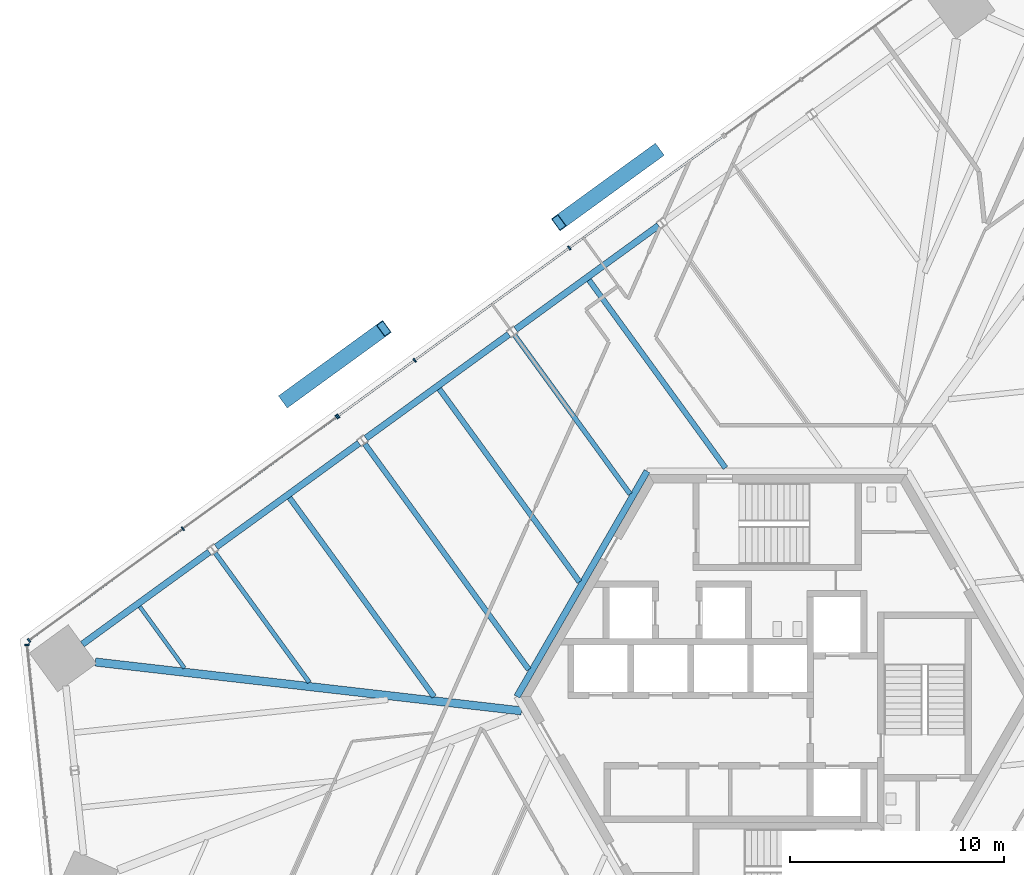
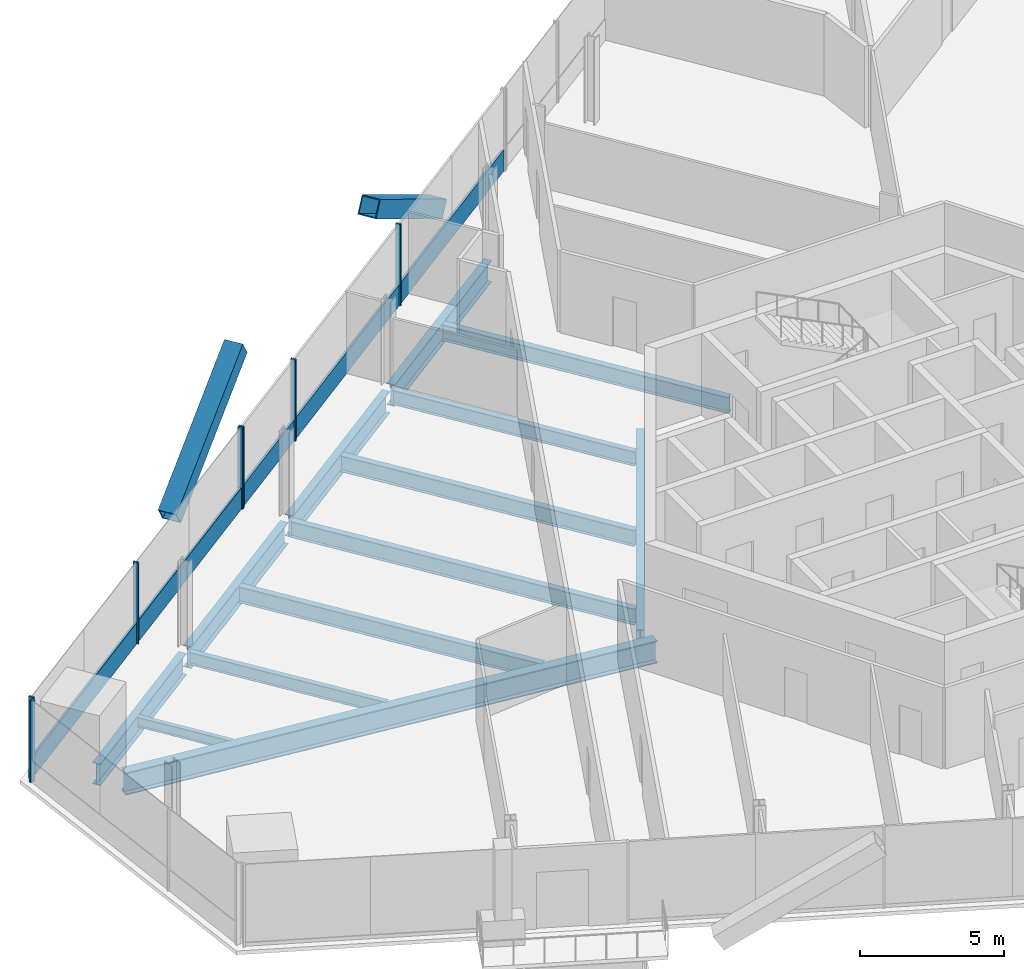
# One storey, part 7 of 19: 14 members, 13 beams, 3 elements without a shape of their own.
"""IFC4 building model written with IfcOpenShell, lengths in metres."""

from ifc_helpers import new_model, si_unit, direction, frame, origin, origin_2d, place, context, subcontext, project, spatial, rectangle, hollow_rectangle, i_section, extrude, source, transform, mapped, material, material_profile, profile_set, type_object, element, aggregate, save


model = new_model("IFC4")

# Units and contexts
model_context = context("Model", 3, precision=1e-05, world=origin(), true_north=direction((0.0, 1.0)))
body_context = subcontext(model_context, "Body", "Model", "MODEL_VIEW")
ifc_project = project(units=[si_unit("LENGTHUNIT", "METRE"), si_unit("AREAUNIT", "SQUARE_METRE"), si_unit("VOLUMEUNIT", "CUBIC_METRE"), si_unit("PLANEANGLEUNIT", "RADIAN"), si_unit("MASSUNIT", "GRAM", prefix="KILO")], contexts=[model_context])

# Site, building, storey
site_placement = place(None, origin())
site = spatial("IfcSite", under=ifc_project, at=site_placement, CompositionType="ELEMENT")
building_placement = place(site_placement, origin())
building = spatial("IfcBuilding", under=site, at=building_placement, Name="Triune Harvest Tower", CompositionType="ELEMENT")
storey_placement = place(building_placement, frame((0.0, 0.0, 69.300048828125)))
storey = spatial("IfcBuildingStorey", under=building, at=storey_placement, Name="L16", CompositionType="ELEMENT", Elevation=69.300048828125)

# Beams
ifc_material_1 = material(Name="Steel ASTM A992 Gr 50", Category="steel")
ifc_material_profile_1 = material_profile(ifc_material_1, i_section(OverallWidth=0.3046875, OverallDepth=0.914306640625, WebThickness=0.0166015625, FlangeThickness=0.02587890625, at=origin_2d()), Name="W36x160")
ifc_profile_set_1 = profile_set([ifc_material_profile_1], Name="Steel ASTM A992 Gr 50")
beam_type_1 = type_object("IfcBeamType", Name="CG-1 Core ring girder W36x160", PredefinedType="BEAM", material=ifc_profile_set_1)
shared_shape_1 = source(origin(), body_context, "Body", "SweptSolid", [
    extrude(i_section(OverallWidth=0.3046875, OverallDepth=0.914306640625, WebThickness=0.0166015625, FlangeThickness=0.02587890625, at=origin_2d()), origin(), (0.0, 0.0, 1.0), 12.176025390625),
])
beam_1_placement = place(storey_placement, frame((-6.087890625, 10.544677734375, -0.6171875), z_axis=(-0.5000099932, -0.866019634131, 0.0), x_axis=(0.866019634131, -0.5000099932, 0.0)))
element("IfcBeam", 1, at=beam_1_placement, inside=storey, type_object=beam_type_1, Name="beam/L16/CG3", PredefinedType="BEAM", context=body_context, shape_type="MappedRepresentation", body=[
    mapped(shared_shape_1, transform((0.0, 0.0, 0.0), scale=1.0)),
])
ifc_material_2 = material(Name="Steel ASTM A992 Gr 50", Category="steel")
ifc_material_profile_2 = material_profile(ifc_material_2, i_section(OverallWidth=0.3046875, OverallDepth=0.914306640625, WebThickness=0.0166015625, FlangeThickness=0.02587890625, at=origin_2d()), Name="W36x160")
ifc_profile_set_2 = profile_set([ifc_material_profile_2], Name="Steel ASTM A992 Gr 50")
beam_type_2 = type_object("IfcBeamType", Name="SB-1 Spandrel beam W36x160", PredefinedType="SPANDREL", material=ifc_profile_set_2)
shared_shape_2 = source(origin(), body_context, "Body", "SweptSolid", [
    extrude(i_section(OverallWidth=0.3046875, OverallDepth=0.914306640625, WebThickness=0.0166015625, FlangeThickness=0.02587890625, at=origin_2d()), origin(), (0.0, 0.0, 1.0), 7.337890625),
])
beam_2_placement = place(storey_placement, frame((-26.574951171875, 6.763916015625, -0.6171875), z_axis=(-0.80902661548, -0.58777200975, 0.0), x_axis=(0.58777200975, -0.80902661548, 0.0)))
element("IfcBeam", 2, at=beam_2_placement, inside=storey, type_object=beam_type_2, Name="beam/L16/SB14", PredefinedType="SPANDREL", context=body_context, shape_type="MappedRepresentation", body=[
    mapped(shared_shape_2, transform((0.0, 0.0, 0.0), scale=1.0)),
])
shared_shape_3 = source(origin(), body_context, "Body", "SweptSolid", [
    extrude(i_section(OverallWidth=0.3046875, OverallDepth=0.914306640625, WebThickness=0.0166015625, FlangeThickness=0.02587890625, at=origin_2d()), origin(), (0.0, 0.0, 1.0), 8.263427734375),
])
for number, where, z_axis, x_axis, name in (
    (3, (-5.55126953125, 22.03857421875, -0.6171875), (-0.809015786763, -0.587786914424, 0.0), (0.587786914424, -0.809015786763, 0.0), "beam/L16/SB11"),
    (4, (-12.55908203125, 16.947021484375, -0.6171875), (-0.809015786763, -0.587786914424, 0.0), (0.587786914424, -0.809015786763, 0.0), "beam/L16/SB12"),
    (5, (-19.56689453125, 11.85546875, -0.6171875), (-0.809015786763, -0.587786914424, 0.0), (0.587786914424, -0.809015786763, 0.0), "beam/L16/SB13"),
):
    element("IfcBeam", number, at=place(storey_placement, frame(where, z_axis=z_axis, x_axis=x_axis)), inside=storey, type_object=beam_type_2, Name=name, PredefinedType="SPANDREL", context=body_context, shape_type="MappedRepresentation", body=[
        mapped(shared_shape_3, transform((0.0, 0.0, 0.0), scale=1.0)),
    ])
ifc_material_3 = material(Name="Steel ASTM A992 Gr 50", Category="steel")
ifc_material_profile_3 = material_profile(ifc_material_3, i_section(OverallWidth=0.383544921875, OverallDepth=0.9423828125, WebThickness=0.022216796875, FlangeThickness=0.039794921875, at=origin_2d()), Name="W36x232")
ifc_profile_set_3 = profile_set([ifc_material_profile_3], Name="Steel ASTM A992 Gr 50")
beam_type_3 = type_object("IfcBeamType", Name="HG-1 Hip girder W36x232", PredefinedType="BEAM", material=ifc_profile_set_3)
shared_shape_4 = source(origin(), body_context, "Body", "SweptSolid", [
    extrude(i_section(OverallWidth=0.383544921875, OverallDepth=0.9423828125, WebThickness=0.022216796875, FlangeThickness=0.039794921875, at=origin_2d()), origin(), (0.0, 0.0, 1.0), 20.070556640625),
])
beam_3_placement = place(storey_placement, frame((-31.904541015625, 1.61572265625, -0.63134765625), z_axis=(0.993487545287, -0.113940762503, 0.0), x_axis=(0.113940762503, 0.993487545287, 0.0)))
element("IfcBeam", 6, at=beam_3_placement, inside=storey, type_object=beam_type_3, Name="beam/L16/HG5", PredefinedType="BEAM", context=body_context, shape_type="MappedRepresentation", body=[
    mapped(shared_shape_4, transform((0.0, 0.0, 0.0), scale=1.0)),
])
ifc_material_4 = material(Name="Steel ASTM A992 Gr 50", Category="steel")
ifc_material_profile_4 = material_profile(ifc_material_4, i_section(OverallWidth=0.22900390625, OverallDepth=0.612060546875, WebThickness=0.011962890625, FlangeThickness=0.01953125, at=origin_2d()), Name="W24x84")
ifc_profile_set_4 = profile_set([ifc_material_profile_4], Name="Steel ASTM A992 Gr 50")
beam_type_4 = type_object("IfcBeamType", Name="JT-3 Floor joist W24x84", PredefinedType="JOIST", material=ifc_profile_set_4)
shared_shape_5 = source(origin(), body_context, "Body", "SweptSolid", [
    extrude(i_section(OverallWidth=0.22900390625, OverallDepth=0.612060546875, WebThickness=0.011962890625, FlangeThickness=0.01953125, at=origin_2d()), origin(), (0.0, 0.0, 1.0), 9.186279296875),
])
beam_4_placement = place(storey_placement, frame((-12.2822265625, 16.905029296875, -0.466064453125), z_axis=(0.58779079947, -0.809012964085, 0.0), x_axis=(0.809012964085, 0.58779079947, 0.0)))
element("IfcBeam", 7, at=beam_4_placement, inside=storey, type_object=beam_type_4, Name="beam/L16/JT19", PredefinedType="JOIST", context=body_context, shape_type="MappedRepresentation", body=[
    mapped(shared_shape_5, transform((0.0, 0.0, 0.0), scale=1.0)),
])
ifc_material_5 = material(Name="Steel ASTM A992 Gr 50", Category="steel")
ifc_material_profile_5 = material_profile(ifc_material_5, i_section(OverallWidth=0.253662109375, OverallDepth=0.683349609375, WebThickness=0.012451171875, FlangeThickness=0.01904296875, at=origin_2d()), Name="W27x94")
ifc_profile_set_5 = profile_set([ifc_material_profile_5], Name="Steel ASTM A992 Gr 50")
beam_type_5 = type_object("IfcBeamType", Name="JT-4 Floor joist W27x94", PredefinedType="JOIST", material=ifc_profile_set_5)
shared_shape_6 = source(origin(), body_context, "Body", "SweptSolid", [
    extrude(i_section(OverallWidth=0.253662109375, OverallDepth=0.683349609375, WebThickness=0.012451171875, FlangeThickness=0.01904296875, at=origin_2d()), origin(), (0.0, 0.0, 1.0), 11.158935546875),
])
beam_5_placement = place(storey_placement, frame((-15.812255859375, 14.395263671875, -0.501708984375), z_axis=(0.58778396925, -0.809017926558, 0.0), x_axis=(0.809017926558, 0.58778396925, 0.0)))
element("IfcBeam", 8, at=beam_5_placement, inside=storey, type_object=beam_type_5, Name="beam/L16/JT20", PredefinedType="JOIST", context=body_context, shape_type="MappedRepresentation", body=[
    mapped(shared_shape_6, transform((0.0, 0.0, 0.0), scale=1.0)),
])
shared_shape_7 = source(origin(), body_context, "Body", "SweptSolid", [
    extrude(i_section(OverallWidth=0.253662109375, OverallDepth=0.683349609375, WebThickness=0.012451171875, FlangeThickness=0.01904296875, at=origin_2d()), origin(), (0.0, 0.0, 1.0), 10.86474609375),
])
beam_6_placement = place(storey_placement, frame((-8.804443359375, 19.48681640625, -0.501708984375), z_axis=(0.587789508047, -0.809013902371, 0.0), x_axis=(0.809013902371, 0.587789508047, 0.0)))
element("IfcBeam", 9, at=beam_6_placement, inside=storey, type_object=beam_type_5, Name="beam/L16/JT18", PredefinedType="JOIST", context=body_context, shape_type="MappedRepresentation", body=[
    mapped(shared_shape_7, transform((0.0, 0.0, 0.0), scale=1.0)),
])
shared_shape_8 = source(origin(), body_context, "Body", "SweptSolid", [
    extrude(i_section(OverallWidth=0.253662109375, OverallDepth=0.683349609375, WebThickness=0.012451171875, FlangeThickness=0.01904296875, at=origin_2d()), origin(), (0.0, 0.0, 1.0), 13.042724609375),
])
beam_7_placement = place(storey_placement, frame((-19.2900390625, 11.8134765625, -0.501708984375), z_axis=(0.587795444635, -0.809009589107, 0.0), x_axis=(0.809009589107, 0.587795444635, 0.0)))
element("IfcBeam", 10, at=beam_7_placement, inside=storey, type_object=beam_type_5, Name="beam/L16/JT21", PredefinedType="JOIST", context=body_context, shape_type="MappedRepresentation", body=[
    mapped(shared_shape_8, transform((0.0, 0.0, 0.0), scale=1.0)),
])
shared_shape_9 = source(origin(), body_context, "Body", "SweptSolid", [
    extrude(i_section(OverallWidth=0.253662109375, OverallDepth=0.683349609375, WebThickness=0.012451171875, FlangeThickness=0.01904296875, at=origin_2d()), origin(), (0.0, 0.0, 1.0), 11.511474609375),
])
beam_8_placement = place(storey_placement, frame((-22.820068359375, 9.3037109375, -0.501708984375), z_axis=(0.587775656534, -0.809023966015, 0.0), x_axis=(0.809023966015, 0.587775656534, 0.0)))
element("IfcBeam", 11, at=beam_8_placement, inside=storey, type_object=beam_type_5, Name="beam/L16/JT22", PredefinedType="JOIST", context=body_context, shape_type="MappedRepresentation", body=[
    mapped(shared_shape_9, transform((0.0, 0.0, 0.0), scale=1.0)),
])
ifc_material_6 = material(Name="Steel ASTM A992 Gr 50", Category="steel")
ifc_material_profile_6 = material_profile(ifc_material_6, i_section(OverallWidth=0.2099609375, OverallDepth=0.535888671875, WebThickness=0.010986328125, FlangeThickness=0.017333984375, at=origin_2d()), Name="W21x68")
ifc_profile_set_6 = profile_set([ifc_material_profile_6], Name="Steel ASTM A992 Gr 50")
beam_type_6 = type_object("IfcBeamType", Name="JT-2 Floor joist W21x68", PredefinedType="JOIST", material=ifc_profile_set_6)
shared_shape_10 = source(origin(), body_context, "Body", "SweptSolid", [
    extrude(i_section(OverallWidth=0.2099609375, OverallDepth=0.535888671875, WebThickness=0.010986328125, FlangeThickness=0.017333984375, at=origin_2d()), origin(), (0.0, 0.0, 1.0), 7.4921875),
])
beam_9_placement = place(storey_placement, frame((-26.2978515625, 6.721923828125, -0.427978515625), z_axis=(0.587787996274, -0.809015000748, 0.0), x_axis=(0.809015000748, 0.587787996274, 0.0)))
element("IfcBeam", 12, at=beam_9_placement, inside=storey, type_object=beam_type_6, Name="beam/L16/JT23", PredefinedType="JOIST", context=body_context, shape_type="MappedRepresentation", body=[
    mapped(shared_shape_10, transform((0.0, 0.0, 0.0), scale=1.0)),
])
ifc_material_7 = material(Name="Steel ASTM A992 Gr 50", Category="steel")
ifc_material_profile_7 = material_profile(ifc_material_7, i_section(OverallWidth=0.180908203125, OverallDepth=0.41650390625, WebThickness=0.010986328125, FlangeThickness=0.01806640625, at=origin_2d()), Name="W16x57")
ifc_profile_set_7 = profile_set([ifc_material_profile_7], Name="Steel ASTM A992 Gr 50")
beam_type_7 = type_object("IfcBeamType", Name="JT-1 Floor joist W16x57", PredefinedType="JOIST", material=ifc_profile_set_7)
shared_shape_11 = source(origin(), body_context, "Body", "SweptSolid", [
    extrude(i_section(OverallWidth=0.180908203125, OverallDepth=0.41650390625, WebThickness=0.010986328125, FlangeThickness=0.01806640625, at=origin_2d()), origin(), (0.0, 0.0, 1.0), 3.561767578125),
])
beam_10_placement = place(storey_placement, frame((-29.827880859375, 4.212158203125, -0.368408203125), z_axis=(0.587768138852, -0.80902942774, 0.0), x_axis=(0.80902942774, 0.587768138852, 0.0)))
element("IfcBeam", 13, at=beam_10_placement, inside=storey, type_object=beam_type_7, Name="beam/L16/JT24", PredefinedType="JOIST", context=body_context, shape_type="MappedRepresentation", body=[
    mapped(shared_shape_11, transform((0.0, 0.0, 0.0), scale=1.0)),
])

# Members
ifc_material_8 = material(Name="Steel ASTM A572 Gr 50", Category="steel")
ifc_material_profile_8 = material_profile(ifc_material_8, hollow_rectangle(XDim=0.699951171875, YDim=0.699951171875, WallThickness=0.0400390625, at=origin_2d()), Name="Box 700x700x40")
ifc_profile_set_8 = profile_set([ifc_material_profile_8], Name="Steel ASTM A572 Gr 50")
member_type_1 = type_object("IfcMemberType", Name="BR-1 Brace Box 700x700x40", PredefinedType="BRACE", material=ifc_profile_set_8)
shared_shape_12 = source(origin(), body_context, "Body", "SweptSolid", [
    extrude(hollow_rectangle(XDim=0.699951171875, YDim=0.699951171875, WallThickness=0.0400390625, at=origin_2d()), origin(), (0.0, 0.0, 1.0), 6.7021484375),
])
for number, where, z_axis, x_axis, name in (
    (14, (-5.642578125, 25.50146484375, 0.0), (-0.682416282299, -0.495802712628, 0.537110498692), (0.587783903514, -0.809017974318, 0.0), "brace/B2-F3/d1/4"),
    (15, (-22.979736328125, 13.894287109375, 0.0), (0.682396818538, 0.495815037481, 0.537123850389), (-0.587804439459, 0.809003053735, 0.0), "brace/B2-F3/d2/4"),
):
    element("IfcMember", number, at=place(storey_placement, frame(where, z_axis=z_axis, x_axis=x_axis)), inside=storey, type_object=member_type_1, Name=name, PredefinedType="BRACE", context=body_context, shape_type="MappedRepresentation", body=[
        mapped(shared_shape_12, transform((0.0, 0.0, 0.0), scale=1.0)),
    ])

# Curtain wall, members
ifc_material_9 = material(Name="Aluminium bronze anodised", Category="aluminium")
curtain_wall_type_1 = type_object("IfcCurtainWallType", Name="CW-7 Tower stick curtain wall with insulated spandrel infill", PredefinedType="NOTDEFINED", material=ifc_material_9)
curtain_wall_1_placement = place(storey_placement, origin())
curtain_wall_1 = element("IfcCurtainWall", 16, at=curtain_wall_1_placement, inside=storey, type_object=curtain_wall_type_1, Name="CW-7 B2-F3 L16 run 1001")
ifc_material_10 = material(Name="Aluminium bronze anodised", Category="aluminium")
ifc_material_profile_9 = material_profile(ifc_material_10, rectangle(XDim=0.199951171875, YDim=0.074951171875, at=origin_2d()), Name="MU-1 mullion 75 x 200")
ifc_profile_set_9 = profile_set([ifc_material_profile_9], Name="Aluminium bronze anodised")
member_type_2 = type_object("IfcMemberType", Name="MU-1 mullion 75 x 200", PredefinedType="MULLION", material=ifc_profile_set_9)
shared_shape_13 = source(origin(), body_context, "Body", "SweptSolid", [
    extrude(rectangle(XDim=0.199951171875, YDim=0.074951171875, at=origin_2d()), origin(), (0.0, 0.0, 1.0), 3.43994140625),
])
member_1_placement = place(storey_placement, frame((-9.724609375, 20.99072265625, 0.0), z_axis=(0.0, 0.0, 1.0), x_axis=(0.587786723131, -0.809015925746, 0.0)))
member_1 = element("IfcMember", 17, at=member_1_placement, type_object=member_type_2, Name="CW-7 mullion B2-F3 1001.3", PredefinedType="MULLION", context=body_context, shape_type="MappedRepresentation", body=[
    mapped(shared_shape_13, transform((0.0, 0.0, 0.0), scale=1.0)),
])
member_2_placement = place(storey_placement, frame((-16.958251953125, 15.735107421875, 0.0), z_axis=(0.0, 0.0, 1.0), x_axis=(0.587786723131, -0.809015925746, 0.0)))
member_2 = element("IfcMember", 18, at=member_2_placement, type_object=member_type_2, Name="CW-7 mullion B2-F3 1001.5", PredefinedType="MULLION", context=body_context, shape_type="MappedRepresentation", body=[
    mapped(shared_shape_13, transform((0.0, 0.0, 0.0), scale=1.0)),
])
member_3_placement = place(storey_placement, frame((-20.544677734375, 13.12939453125, 0.0), z_axis=(0.0, 0.0, 1.0), x_axis=(0.587786723131, -0.809015925746, 0.0)))
member_3 = element("IfcMember", 19, at=member_3_placement, type_object=member_type_2, Name="CW-7 mullion B2-F3 1001.6", PredefinedType="MULLION", context=body_context, shape_type="MappedRepresentation", body=[
    mapped(shared_shape_13, transform((0.0, 0.0, 0.0), scale=1.0)),
])

ifc_material_11 = material(Name="Aluminium bronze anodised", Category="aluminium")
curtain_wall_type_2 = type_object("IfcCurtainWallType", Name="CW-1 Tower stick curtain wall", PredefinedType="NOTDEFINED", material=ifc_material_11)
curtain_wall_2_placement = place(storey_placement, origin())
curtain_wall_2 = element("IfcCurtainWall", 20, at=curtain_wall_2_placement, inside=storey, type_object=curtain_wall_type_2, Name="CW-1 B2-F3 L16 run 2001")
member_4_placement = place(storey_placement, frame((-20.605224609375, 13.08544921875, 0.0), z_axis=(0.0, 0.0, 1.0), x_axis=(0.587783213644, -0.809018475536, 0.0)))
member_4 = element("IfcMember", 21, at=member_4_placement, type_object=member_type_2, Name="CW-1 mullion B2-F3 2001.1", PredefinedType="MULLION", context=body_context, shape_type="MappedRepresentation", body=[
    mapped(shared_shape_13, transform((0.0, 0.0, 0.0), scale=1.0)),
])
member_5_placement = place(storey_placement, frame((-27.808349609375, 7.85205078125, 0.0), z_axis=(0.0, 0.0, 1.0), x_axis=(0.587783213644, -0.809018475536, 0.0)))
member_5 = element("IfcMember", 22, at=member_5_placement, type_object=member_type_2, Name="CW-1 mullion B2-F3 2001.3", PredefinedType="MULLION", context=body_context, shape_type="MappedRepresentation", body=[
    mapped(shared_shape_13, transform((0.0, 0.0, 0.0), scale=1.0)),
])
member_6_placement = place(storey_placement, frame((-35.01171875, 2.61865234375, 0.0), z_axis=(0.0, 0.0, 1.0), x_axis=(0.587783213644, -0.809018475536, 0.0)))
member_6 = element("IfcMember", 23, at=member_6_placement, type_object=member_type_2, Name="CW-1 mullion B2-F3 2001.5", PredefinedType="MULLION", context=body_context, shape_type="MappedRepresentation", body=[
    mapped(shared_shape_13, transform((0.0, 0.0, 0.0), scale=1.0)),
])

# Curtain wall, member
curtain_wall_3_placement = place(storey_placement, origin())
curtain_wall_3 = element("IfcCurtainWall", 24, at=curtain_wall_3_placement, inside=storey, type_object=curtain_wall_type_2, Name="CW-1 B2-F4 L16 run 1")
member_7_placement = place(storey_placement, frame((-35.1015625, 2.416748046875, 0.0), z_axis=(0.0, 0.0, 1.0), x_axis=(0.994521790334, 0.104529462601, 0.0)))
member_7 = element("IfcMember", 25, at=member_7_placement, type_object=member_type_2, Name="CW-1 mullion B2-F4 1.1", PredefinedType="MULLION", context=body_context, shape_type="MappedRepresentation", body=[
    mapped(shared_shape_13, transform((0.0, 0.0, 0.0), scale=1.0)),
])
aggregate(curtain_wall_3, [member_7])

# Member
ifc_material_12 = material(Name="Aluminium bronze anodised", Category="aluminium")
ifc_material_profile_10 = material_profile(ifc_material_12, rectangle(XDim=0.090087890625, YDim=0.89990234375, at=origin_2d()), Name="TR-1 transom 90 x 900")
ifc_profile_set_10 = profile_set([ifc_material_profile_10], Name="Aluminium bronze anodised")
member_type_3 = type_object("IfcMemberType", Name="TR-1 transom 90 x 900", PredefinedType="USERDEFINED", material=ifc_profile_set_10)
shared_shape_14 = source(origin(), body_context, "Body", "SweptSolid", [
    extrude(rectangle(XDim=0.090087890625, YDim=0.89990234375, at=origin_2d()), origin(), (0.0, 0.0, 1.0), 8.82861328125),
])
member_8_placement = place(storey_placement, frame((-2.5517578125, 26.201904296875, 0.449951171875), z_axis=(-0.809026570054, -0.587772072276, 0.0), x_axis=(0.587772072276, -0.809026570054, 0.0)))
member_8 = element("IfcMember", 26, at=member_8_placement, type_object=member_type_3, Name="CW-7 transom B2-F3 1001.1", ObjectType="TRANSOM", PredefinedType="USERDEFINED", context=body_context, shape_type="MappedRepresentation", body=[
    mapped(shared_shape_14, transform((0.0, 0.0, 0.0), scale=1.0)),
])

member_9_placement = place(storey_placement, frame((-20.635498046875, 13.063232421875, 0.449951171875), z_axis=(-0.809026570054, -0.587772072276, 0.0), x_axis=(0.587772072276, -0.809026570054, 0.0)))
member_9 = element("IfcMember", 27, at=member_9_placement, type_object=member_type_3, Name="CW-1 transom B2-F3 2001.1", ObjectType="TRANSOM", PredefinedType="USERDEFINED", context=body_context, shape_type="MappedRepresentation", body=[
    mapped(shared_shape_14, transform((0.0, 0.0, 0.0), scale=1.0)),
])

shared_shape_15 = source(origin(), body_context, "Body", "SweptSolid", [
    extrude(rectangle(XDim=0.090087890625, YDim=0.89990234375, at=origin_2d()), origin(), (0.0, 0.0, 1.0), 8.828369140625),
])
member_10_placement = place(storey_placement, frame((-27.8388671875, 7.829833984375, 0.449951171875), z_axis=(-0.809017016162, -0.587785222305, 0.0), x_axis=(0.587785222305, -0.809017016162, 0.0)))
member_10 = element("IfcMember", 28, at=member_10_placement, type_object=member_type_3, Name="CW-1 transom B2-F3 2001.2", ObjectType="TRANSOM", PredefinedType="USERDEFINED", context=body_context, shape_type="MappedRepresentation", body=[
    mapped(shared_shape_15, transform((0.0, 0.0, 0.0), scale=1.0)),
])

aggregate(curtain_wall_2, [member_4, member_5, member_6, member_9, member_10])

shared_shape_16 = source(origin(), body_context, "Body", "SweptSolid", [
    extrude(rectangle(XDim=0.090087890625, YDim=0.89990234375, at=origin_2d()), origin(), (0.0, 0.0, 1.0), 8.8662109375),
])
member_11_placement = place(storey_placement, frame((-9.7548828125, 20.968505859375, 0.449951171875), z_axis=(-0.809014630499, -0.587788505875, 0.0), x_axis=(0.587788505875, -0.809014630499, 0.0)))
member_11 = element("IfcMember", 29, at=member_11_placement, type_object=member_type_3, Name="CW-7 transom B2-F3 1001.2", ObjectType="TRANSOM", PredefinedType="USERDEFINED", context=body_context, shape_type="MappedRepresentation", body=[
    mapped(shared_shape_16, transform((0.0, 0.0, 0.0), scale=1.0)),
])

shared_shape_17 = source(origin(), body_context, "Body", "SweptSolid", [
    extrude(rectangle(XDim=0.090087890625, YDim=0.89990234375, at=origin_2d()), origin(), (0.0, 0.0, 1.0), 4.358154296875),
])
member_12_placement = place(storey_placement, frame((-16.988525390625, 15.713134765625, 0.449951171875), z_axis=(-0.808990371503, -0.587821893787, 0.0), x_axis=(0.587821893787, -0.808990371503, 0.0)))
member_12 = element("IfcMember", 30, at=member_12_placement, type_object=member_type_3, Name="CW-7 transom B2-F3 1001.3", ObjectType="TRANSOM", PredefinedType="USERDEFINED", context=body_context, shape_type="MappedRepresentation", body=[
    mapped(shared_shape_17, transform((0.0, 0.0, 0.0), scale=1.0)),
])

aggregate(curtain_wall_1, [member_1, member_2, member_3, member_8, member_11, member_12])

save(model, "model.ifc")
